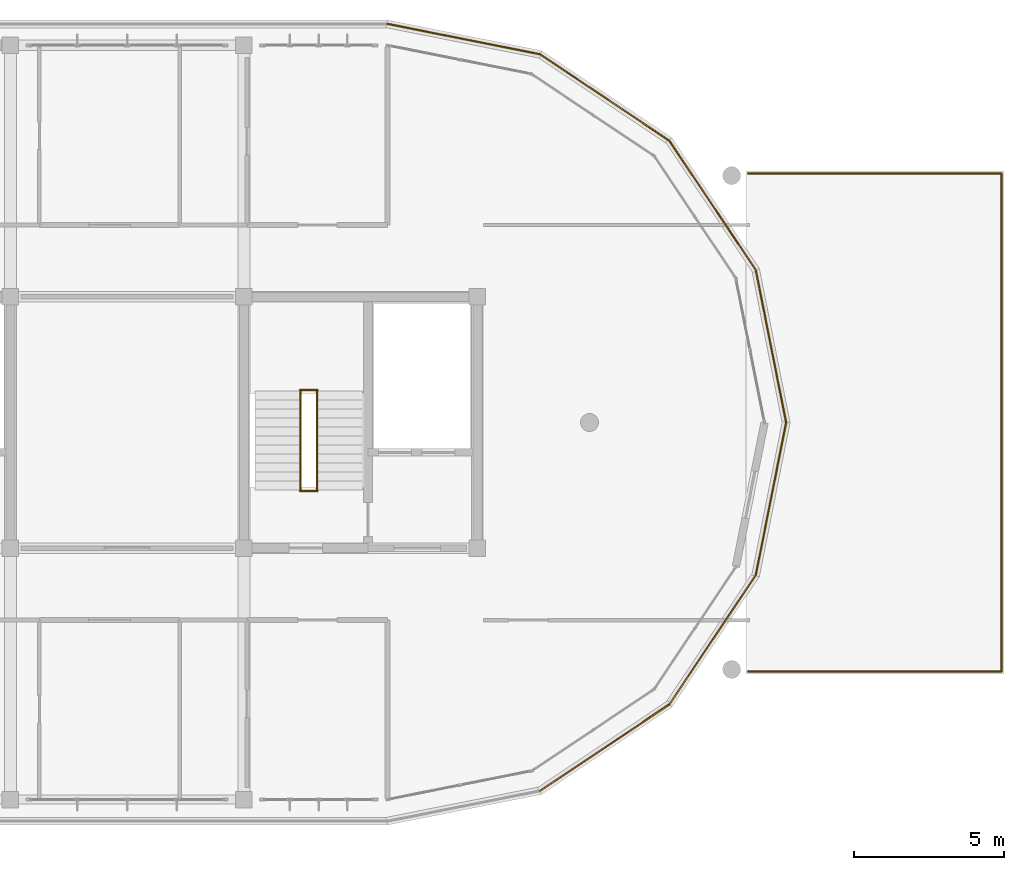
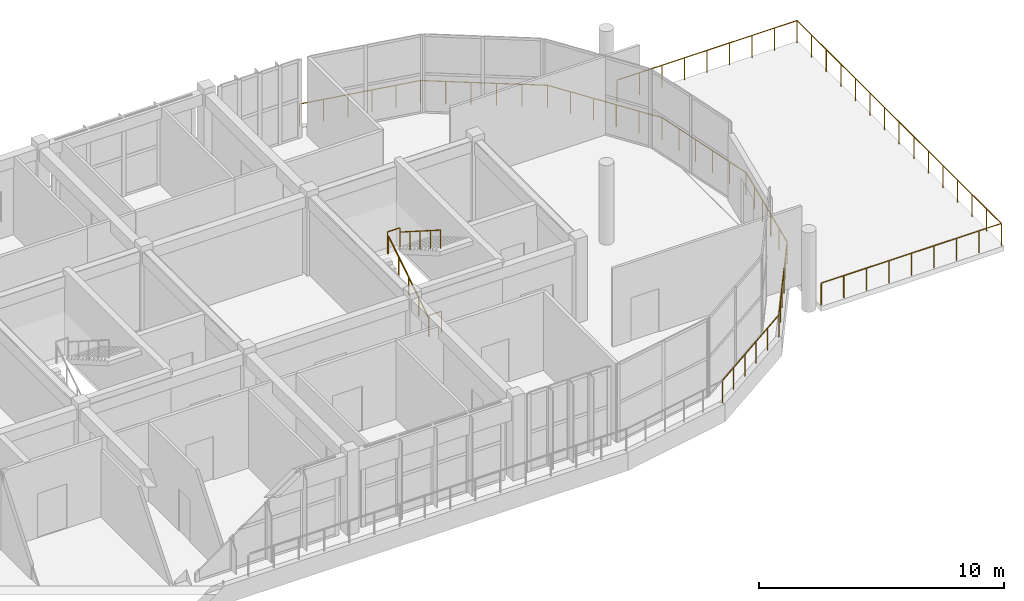
# One storey, part 44 of 44: 14 railings.
"""IFC4 building model written with IfcOpenShell, lengths in metres."""

from ifc_helpers import new_model, si_unit, direction, frame, origin, origin_2d, place, context, subcontext, project, spatial, circle, hollow_circle, extrude, material, material_profile, profile_set, type_object, element, save


model = new_model("IFC4")

# Units and contexts
model_context = context("Model", 3, precision=1e-05, world=origin(), true_north=direction((0.0, 1.0)))
body_context = subcontext(model_context, "Body", "Model", "MODEL_VIEW")
ifc_project = project(units=[si_unit("LENGTHUNIT", "METRE"), si_unit("AREAUNIT", "SQUARE_METRE"), si_unit("VOLUMEUNIT", "CUBIC_METRE"), si_unit("PLANEANGLEUNIT", "RADIAN"), si_unit("MASSUNIT", "GRAM", prefix="KILO")], contexts=[model_context])

# Site, building, storey
site_placement = place(None, origin())
site = spatial("IfcSite", under=ifc_project, at=site_placement, CompositionType="ELEMENT")
building_placement = place(site_placement, origin())
building = spatial("IfcBuilding", under=site, at=building_placement, Name="Zizhar Promenade General Hospital", CompositionType="ELEMENT")
storey_placement = place(building_placement, frame((0.0, 0.0, 34.800048828125)))
storey = spatial("IfcBuildingStorey", under=building, at=storey_placement, Name="L08", CompositionType="ELEMENT", Elevation=34.800048828125)

# Railings
ifc_material_1 = material(Name="Anodised aluminium 6063-T6", Category="aluminium")
ifc_material_profile_1 = material_profile(ifc_material_1, hollow_circle(Radius=0.06982421875, WallThickness=0.00634765625, at=origin_2d()))
ifc_profile_set_1 = profile_set([ifc_material_profile_1], Name="Anodised aluminium 6063-T6")
railing_type_1 = type_object("IfcRailingType", Name="RL-GUARD-TERR-1100", PredefinedType="GUARDRAIL", material=ifc_profile_set_1)
railing_1_placement = place(storey_placement, frame((103.497314453125, 0.2939453125, 0.0)))
element("IfcRailing", 1, at=railing_1_placement, inside=storey, type_object=railing_type_1, Name="Perimeter Safety Guardrail L08-02", PredefinedType="GUARDRAIL", context=body_context, shape_type="SweptSolid", body=[
    extrude(circle(Radius=0.02392578125, at=origin_2d()), frame((0.0, 0.0, 1.09619140625), z_axis=(0.831464445352, 0.555577965829, 0.0), x_axis=(-0.555577965829, 0.831464445352, 0.0)), (0.0, 0.0, 1.0), 5.197265625),
    extrude(circle(Radius=0.02099609375, at=origin_2d()), origin(), (0.0, 0.0, 1.0), 1.072021484375),
    extrude(circle(Radius=0.02099609375, at=origin_2d()), frame((0.8642578125, 0.577392578125, 0.0)), (0.0, 0.0, 1.0), 1.072021484375),
    extrude(circle(Radius=0.02099609375, at=origin_2d()), frame((1.728515625, 1.155029296875, 0.0)), (0.0, 0.0, 1.0), 1.072021484375),
    extrude(circle(Radius=0.02099609375, at=origin_2d()), frame((2.5927734375, 1.732421875, 0.0)), (0.0, 0.0, 1.0), 1.072021484375),
    extrude(circle(Radius=0.02099609375, at=origin_2d()), frame((3.45703125, 2.31005859375, 0.0)), (0.0, 0.0, 1.0), 1.072021484375),
    extrude(circle(Radius=0.02099609375, at=origin_2d()), frame((4.3212890625, 2.887451171875, 0.0)), (0.0, 0.0, 1.0), 1.072021484375),
])
railing_2_placement = place(storey_placement, frame((107.818603515625, 3.181396484375, 0.0)))
element("IfcRailing", 2, at=railing_2_placement, inside=storey, type_object=railing_type_1, Name="Perimeter Safety Guardrail L08-03", PredefinedType="GUARDRAIL", context=body_context, shape_type="SweptSolid", body=[
    extrude(circle(Radius=0.02392578125, at=origin_2d()), frame((0.0, 0.0, 1.09619140625), z_axis=(0.555577965829, 0.831464445352, 0.0), x_axis=(-0.831464445352, 0.555577965829, 0.0)), (0.0, 0.0, 1.0), 5.197265625),
    extrude(circle(Radius=0.02099609375, at=origin_2d()), origin(), (0.0, 0.0, 1.0), 1.072021484375),
    extrude(circle(Radius=0.02099609375, at=origin_2d()), frame((0.577392578125, 0.8642578125, 0.0)), (0.0, 0.0, 1.0), 1.072021484375),
    extrude(circle(Radius=0.02099609375, at=origin_2d()), frame((1.155029296875, 1.728515625, 0.0)), (0.0, 0.0, 1.0), 1.072021484375),
    extrude(circle(Radius=0.02099609375, at=origin_2d()), frame((1.732421875, 2.5927734375, 0.0)), (0.0, 0.0, 1.0), 1.072021484375),
    extrude(circle(Radius=0.02099609375, at=origin_2d()), frame((2.31005859375, 3.45703125, 0.0)), (0.0, 0.0, 1.0), 1.072021484375),
    extrude(circle(Radius=0.02099609375, at=origin_2d()), frame((2.887451171875, 4.3212890625, 0.0)), (0.0, 0.0, 1.0), 1.072021484375),
])
railing_3_placement = place(storey_placement, frame((110.7060546875, 7.502685546875, 0.0)))
element("IfcRailing", 3, at=railing_3_placement, inside=storey, type_object=railing_type_1, Name="Perimeter Safety Guardrail L08-04", PredefinedType="GUARDRAIL", context=body_context, shape_type="SweptSolid", body=[
    extrude(circle(Radius=0.02392578125, at=origin_2d()), frame((0.0, 0.0, 1.09619140625), z_axis=(0.195086195614, 0.980786101187, 0.0), x_axis=(-0.980786101187, 0.195086195614, 0.0)), (0.0, 0.0, 1.0), 5.197265625),
    extrude(circle(Radius=0.02099609375, at=origin_2d()), origin(), (0.0, 0.0, 1.0), 1.072021484375),
    extrude(circle(Radius=0.02099609375, at=origin_2d()), frame((0.202880859375, 1.01953125, 0.0)), (0.0, 0.0, 1.0), 1.072021484375),
    extrude(circle(Radius=0.02099609375, at=origin_2d()), frame((0.405517578125, 2.0390625, 0.0)), (0.0, 0.0, 1.0), 1.072021484375),
    extrude(circle(Radius=0.02099609375, at=origin_2d()), frame((0.6083984375, 3.058349609375, 0.0)), (0.0, 0.0, 1.0), 1.072021484375),
    extrude(circle(Radius=0.02099609375, at=origin_2d()), frame((0.81103515625, 4.077880859375, 0.0)), (0.0, 0.0, 1.0), 1.072021484375),
    extrude(circle(Radius=0.02099609375, at=origin_2d()), frame((1.013916015625, 5.097412109375, 0.0)), (0.0, 0.0, 1.0), 1.072021484375),
])
railing_4_placement = place(storey_placement, frame((111.719970703125, 12.60009765625, 0.0)))
element("IfcRailing", 4, at=railing_4_placement, inside=storey, type_object=railing_type_1, Name="Perimeter Safety Guardrail L08-05", PredefinedType="GUARDRAIL", context=body_context, shape_type="SweptSolid", body=[
    extrude(circle(Radius=0.02392578125, at=origin_2d()), frame((0.0, 0.0, 1.09619140625), z_axis=(-0.195095184069, 0.980784313268, 0.0), x_axis=(-0.980784313268, -0.195095184069, 0.0)), (0.0, 0.0, 1.0), 5.197021484375),
    extrude(circle(Radius=0.02099609375, at=origin_2d()), origin(), (0.0, 0.0, 1.0), 1.072021484375),
    extrude(circle(Radius=0.02099609375, at=origin_2d()), frame((-0.202880859375, 1.01953125, 0.0)), (0.0, 0.0, 1.0), 1.072021484375),
    extrude(circle(Radius=0.02099609375, at=origin_2d()), frame((-0.405517578125, 2.038818359375, 0.0)), (0.0, 0.0, 1.0), 1.072021484375),
    extrude(circle(Radius=0.02099609375, at=origin_2d()), frame((-0.6083984375, 3.058349609375, 0.0)), (0.0, 0.0, 1.0), 1.072021484375),
    extrude(circle(Radius=0.02099609375, at=origin_2d()), frame((-0.81103515625, 4.07763671875, 0.0)), (0.0, 0.0, 1.0), 1.072021484375),
    extrude(circle(Radius=0.02099609375, at=origin_2d()), frame((-1.013916015625, 5.09716796875, 0.0)), (0.0, 0.0, 1.0), 1.072021484375),
])
railing_5_placement = place(storey_placement, frame((110.7060546875, 17.697265625, 0.0)))
element("IfcRailing", 5, at=railing_5_placement, inside=storey, type_object=railing_type_1, Name="Perimeter Safety Guardrail L08-06", PredefinedType="GUARDRAIL", context=body_context, shape_type="SweptSolid", body=[
    extrude(circle(Radius=0.02392578125, at=origin_2d()), frame((0.0, 0.0, 1.09619140625), z_axis=(-0.555556266519, 0.83147894425, 0.0), x_axis=(-0.83147894425, -0.555556266519, 0.0)), (0.0, 0.0, 1.0), 5.197509765625),
    extrude(circle(Radius=0.02099609375, at=origin_2d()), origin(), (0.0, 0.0, 1.0), 1.072021484375),
    extrude(circle(Radius=0.02099609375, at=origin_2d()), frame((-0.577392578125, 0.8642578125, 0.0)), (0.0, 0.0, 1.0), 1.072021484375),
    extrude(circle(Radius=0.02099609375, at=origin_2d()), frame((-1.155029296875, 1.728515625, 0.0)), (0.0, 0.0, 1.0), 1.072021484375),
    extrude(circle(Radius=0.02099609375, at=origin_2d()), frame((-1.732421875, 2.593017578125, 0.0)), (0.0, 0.0, 1.0), 1.072021484375),
    extrude(circle(Radius=0.02099609375, at=origin_2d()), frame((-2.31005859375, 3.457275390625, 0.0)), (0.0, 0.0, 1.0), 1.072021484375),
    extrude(circle(Radius=0.02099609375, at=origin_2d()), frame((-2.887451171875, 4.321533203125, 0.0)), (0.0, 0.0, 1.0), 1.072021484375),
])
railing_6_placement = place(storey_placement, frame((107.818603515625, 22.018798828125, 0.0)))
element("IfcRailing", 6, at=railing_6_placement, inside=storey, type_object=railing_type_1, Name="Perimeter Safety Guardrail L08-07", PredefinedType="GUARDRAIL", context=body_context, shape_type="SweptSolid", body=[
    extrude(circle(Radius=0.02392578125, at=origin_2d()), frame((0.0, 0.0, 1.09619140625), z_axis=(-0.831486145253, 0.555545488913, 0.0), x_axis=(-0.555545488913, -0.831486145253, 0.0)), (0.0, 0.0, 1.0), 5.197021484375),
    extrude(circle(Radius=0.02099609375, at=origin_2d()), origin(), (0.0, 0.0, 1.0), 1.072021484375),
    extrude(circle(Radius=0.02099609375, at=origin_2d()), frame((-0.8642578125, 0.577392578125, 0.0)), (0.0, 0.0, 1.0), 1.072021484375),
    extrude(circle(Radius=0.02099609375, at=origin_2d()), frame((-1.728515625, 1.15478515625, 0.0)), (0.0, 0.0, 1.0), 1.072021484375),
    extrude(circle(Radius=0.02099609375, at=origin_2d()), frame((-2.5927734375, 1.732421875, 0.0)), (0.0, 0.0, 1.0), 1.072021484375),
    extrude(circle(Radius=0.02099609375, at=origin_2d()), frame((-3.45703125, 2.309814453125, 0.0)), (0.0, 0.0, 1.0), 1.072021484375),
    extrude(circle(Radius=0.02099609375, at=origin_2d()), frame((-4.3212890625, 2.88720703125, 0.0)), (0.0, 0.0, 1.0), 1.072021484375),
])
railing_7_placement = place(storey_placement, frame((103.497314453125, 24.906005859375, 0.0)))
element("IfcRailing", 7, at=railing_7_placement, inside=storey, type_object=railing_type_1, Name="Perimeter Safety Guardrail L08-08", PredefinedType="GUARDRAIL", context=body_context, shape_type="SweptSolid", body=[
    extrude(circle(Radius=0.02392578125, at=origin_2d()), frame((0.0, 0.0, 1.09619140625), z_axis=(-0.980786101187, 0.195086195614, 0.0), x_axis=(-0.195086195614, -0.980786101187, 0.0)), (0.0, 0.0, 1.0), 5.197265625),
    extrude(circle(Radius=0.02099609375, at=origin_2d()), origin(), (0.0, 0.0, 1.0), 1.072021484375),
    extrude(circle(Radius=0.02099609375, at=origin_2d()), frame((-1.01953125, 0.202880859375, 0.0)), (0.0, 0.0, 1.0), 1.072021484375),
    extrude(circle(Radius=0.02099609375, at=origin_2d()), frame((-2.0390625, 0.405517578125, 0.0)), (0.0, 0.0, 1.0), 1.072021484375),
    extrude(circle(Radius=0.02099609375, at=origin_2d()), frame((-3.058349609375, 0.6083984375, 0.0)), (0.0, 0.0, 1.0), 1.072021484375),
    extrude(circle(Radius=0.02099609375, at=origin_2d()), frame((-4.077880859375, 0.81103515625, 0.0)), (0.0, 0.0, 1.0), 1.072021484375),
    extrude(circle(Radius=0.02099609375, at=origin_2d()), frame((-5.097412109375, 1.013916015625, 0.0)), (0.0, 0.0, 1.0), 1.072021484375),
])
railing_8_placement = place(storey_placement, frame((110.449951171875, 4.280029296875, 0.0)))
element("IfcRailing", 8, at=railing_8_placement, inside=storey, type_object=railing_type_1, Name="Perimeter Safety Guardrail L08-01", PredefinedType="GUARDRAIL", context=body_context, shape_type="SweptSolid", body=[
    extrude(circle(Radius=0.02392578125, at=origin_2d()), frame((0.0, 0.0, 1.09619140625), z_axis=(1.0, 0.0, 0.0), x_axis=(0.0, 1.0, 0.0)), (0.0, 0.0, 1.0), 8.469970703125),
    extrude(circle(Radius=0.02099609375, at=origin_2d()), origin(), (0.0, 0.0, 1.0), 1.072021484375),
    extrude(circle(Radius=0.02099609375, at=origin_2d()), frame((1.058837890625, 0.0, 0.0)), (0.0, 0.0, 1.0), 1.072021484375),
    extrude(circle(Radius=0.02099609375, at=origin_2d()), frame((2.117431640625, 0.0, 0.0)), (0.0, 0.0, 1.0), 1.072021484375),
    extrude(circle(Radius=0.02099609375, at=origin_2d()), frame((3.17626953125, 0.0, 0.0)), (0.0, 0.0, 1.0), 1.072021484375),
    extrude(circle(Radius=0.02099609375, at=origin_2d()), frame((4.23486328125, 0.0, 0.0)), (0.0, 0.0, 1.0), 1.072021484375),
    extrude(circle(Radius=0.02099609375, at=origin_2d()), frame((5.293701171875, 0.0, 0.0)), (0.0, 0.0, 1.0), 1.072021484375),
    extrude(circle(Radius=0.02099609375, at=origin_2d()), frame((6.3525390625, 0.0, 0.0)), (0.0, 0.0, 1.0), 1.072021484375),
    extrude(circle(Radius=0.02099609375, at=origin_2d()), frame((7.4111328125, 0.0, 0.0)), (0.0, 0.0, 1.0), 1.072021484375),
    extrude(circle(Radius=0.02099609375, at=origin_2d()), frame((8.469970703125, 0.0, 0.0)), (0.0, 0.0, 1.0), 1.072021484375),
])
railing_9_placement = place(storey_placement, frame((118.919921875, 4.280029296875, 0.0)))
element("IfcRailing", 9, at=railing_9_placement, inside=storey, type_object=railing_type_1, Name="Perimeter Safety Guardrail L08-02", PredefinedType="GUARDRAIL", context=body_context, shape_type="SweptSolid", body=[
    extrude(circle(Radius=0.02392578125, at=origin_2d()), frame((0.0, 0.0, 1.09619140625), z_axis=(0.0, 1.0, 0.0), x_axis=(-1.0, 0.0, 0.0)), (0.0, 0.0, 1.0), 16.639892578125),
    extrude(circle(Radius=0.02099609375, at=origin_2d()), origin(), (0.0, 0.0, 1.0), 1.072021484375),
    extrude(circle(Radius=0.02099609375, at=origin_2d()), frame((0.0, 1.1884765625, 0.0)), (0.0, 0.0, 1.0), 1.072021484375),
    extrude(circle(Radius=0.02099609375, at=origin_2d()), frame((0.0, 2.377197265625, 0.0)), (0.0, 0.0, 1.0), 1.072021484375),
    extrude(circle(Radius=0.02099609375, at=origin_2d()), frame((0.0, 3.565673828125, 0.0)), (0.0, 0.0, 1.0), 1.072021484375),
    extrude(circle(Radius=0.02099609375, at=origin_2d()), frame((0.0, 4.754150390625, 0.0)), (0.0, 0.0, 1.0), 1.072021484375),
    extrude(circle(Radius=0.02099609375, at=origin_2d()), frame((0.0, 5.94287109375, 0.0)), (0.0, 0.0, 1.0), 1.072021484375),
    extrude(circle(Radius=0.02099609375, at=origin_2d()), frame((0.0, 7.13134765625, 0.0)), (0.0, 0.0, 1.0), 1.072021484375),
    extrude(circle(Radius=0.02099609375, at=origin_2d()), frame((0.0, 8.31982421875, 0.0)), (0.0, 0.0, 1.0), 1.072021484375),
    extrude(circle(Radius=0.02099609375, at=origin_2d()), frame((0.0, 9.508544921875, 0.0)), (0.0, 0.0, 1.0), 1.072021484375),
    extrude(circle(Radius=0.02099609375, at=origin_2d()), frame((0.0, 10.697021484375, 0.0)), (0.0, 0.0, 1.0), 1.072021484375),
    extrude(circle(Radius=0.02099609375, at=origin_2d()), frame((0.0, 11.8857421875, 0.0)), (0.0, 0.0, 1.0), 1.072021484375),
    extrude(circle(Radius=0.02099609375, at=origin_2d()), frame((0.0, 13.07421875, 0.0)), (0.0, 0.0, 1.0), 1.072021484375),
    extrude(circle(Radius=0.02099609375, at=origin_2d()), frame((0.0, 14.2626953125, 0.0)), (0.0, 0.0, 1.0), 1.072021484375),
    extrude(circle(Radius=0.02099609375, at=origin_2d()), frame((0.0, 15.451416015625, 0.0)), (0.0, 0.0, 1.0), 1.072021484375),
    extrude(circle(Radius=0.02099609375, at=origin_2d()), frame((0.0, 16.639892578125, 0.0)), (0.0, 0.0, 1.0), 1.072021484375),
])
railing_10_placement = place(storey_placement, frame((118.919921875, 20.919921875, 0.0)))
element("IfcRailing", 10, at=railing_10_placement, inside=storey, type_object=railing_type_1, Name="Perimeter Safety Guardrail L08-03", PredefinedType="GUARDRAIL", context=body_context, shape_type="SweptSolid", body=[
    extrude(circle(Radius=0.02392578125, at=origin_2d()), frame((0.0, 0.0, 1.09619140625), z_axis=(-1.0, 0.0, 0.0), x_axis=(0.0, -1.0, 0.0)), (0.0, 0.0, 1.0), 8.469970703125),
    extrude(circle(Radius=0.02099609375, at=origin_2d()), origin(), (0.0, 0.0, 1.0), 1.072021484375),
    extrude(circle(Radius=0.02099609375, at=origin_2d()), frame((-1.058837890625, 0.0, 0.0)), (0.0, 0.0, 1.0), 1.072021484375),
    extrude(circle(Radius=0.02099609375, at=origin_2d()), frame((-2.117431640625, 0.0, 0.0)), (0.0, 0.0, 1.0), 1.072021484375),
    extrude(circle(Radius=0.02099609375, at=origin_2d()), frame((-3.17626953125, 0.0, 0.0)), (0.0, 0.0, 1.0), 1.072021484375),
    extrude(circle(Radius=0.02099609375, at=origin_2d()), frame((-4.23486328125, 0.0, 0.0)), (0.0, 0.0, 1.0), 1.072021484375),
    extrude(circle(Radius=0.02099609375, at=origin_2d()), frame((-5.293701171875, 0.0, 0.0)), (0.0, 0.0, 1.0), 1.072021484375),
    extrude(circle(Radius=0.02099609375, at=origin_2d()), frame((-6.3525390625, 0.0, 0.0)), (0.0, 0.0, 1.0), 1.072021484375),
    extrude(circle(Radius=0.02099609375, at=origin_2d()), frame((-7.4111328125, 0.0, 0.0)), (0.0, 0.0, 1.0), 1.072021484375),
    extrude(circle(Radius=0.02099609375, at=origin_2d()), frame((-8.469970703125, 0.0, 0.0)), (0.0, 0.0, 1.0), 1.072021484375),
])
ifc_material_2 = material(Name="Anodised aluminium 6063-T6", Category="aluminium")
ifc_material_profile_2 = material_profile(ifc_material_2, hollow_circle(Radius=0.06982421875, WallThickness=0.00634765625, at=origin_2d()))
ifc_profile_set_2 = profile_set([ifc_material_profile_2], Name="Anodised aluminium 6063-T6")
railing_type_2 = type_object("IfcRailingType", Name="RL-HANDRAIL-920", PredefinedType="HANDRAIL", material=ifc_profile_set_2)
railing_11_placement = place(storey_placement, frame((95.5, 10.35009765625, 0.0)))
element("IfcRailing", 11, at=railing_11_placement, inside=storey, type_object=railing_type_2, Name="Stair ST-05 Flight 1 Handrail (L08)", PredefinedType="HANDRAIL", context=body_context, shape_type="SweptSolid", body=[
    extrude(circle(Radius=0.02392578125, at=origin_2d()), frame((0.0, 0.0, 0.89599609375), z_axis=(0.0, 0.843664057944, 0.536871453268), x_axis=(-1.0, 0.0, 0.0)), (0.0, 0.0, 1.0), 3.911376953125),
    extrude(circle(Radius=0.02099609375, at=origin_2d()), origin(), (0.0, 0.0, 1.0), 0.871826171875),
    extrude(circle(Radius=0.02099609375, at=origin_2d()), frame((0.0, 0.824951171875, 0.52490234375)), (0.0, 0.0, 1.0), 0.871826171875),
    extrude(circle(Radius=0.02099609375, at=origin_2d()), frame((0.0, 1.64990234375, 1.0498046875)), (0.0, 0.0, 1.0), 0.871826171875),
    extrude(circle(Radius=0.02099609375, at=origin_2d()), frame((0.0, 2.474853515625, 1.574951171875)), (0.0, 0.0, 1.0), 0.871826171875),
    extrude(circle(Radius=0.02099609375, at=origin_2d()), frame((0.0, 3.2998046875, 2.099853515625)), (0.0, 0.0, 1.0), 0.871826171875),
])
railing_12_placement = place(storey_placement, frame((96.0400390625, 13.64990234375, 2.099853515625)))
element("IfcRailing", 12, at=railing_12_placement, inside=storey, type_object=railing_type_2, Name="Stair ST-05 Flight 2 Handrail (L08)", PredefinedType="HANDRAIL", context=body_context, shape_type="SweptSolid", body=[
    extrude(circle(Radius=0.02392578125, at=origin_2d()), frame((0.0, 0.0, 0.89599609375), z_axis=(0.0, -0.843635785416, 0.536915879413), x_axis=(1.0, 0.0, 0.0)), (0.0, 0.0, 1.0), 3.911376953125),
    extrude(circle(Radius=0.02099609375, at=origin_2d()), origin(), (0.0, 0.0, 1.0), 0.871826171875),
    extrude(circle(Radius=0.02099609375, at=origin_2d()), frame((0.0, -0.824951171875, 0.52490234375)), (0.0, 0.0, 1.0), 0.871826171875),
    extrude(circle(Radius=0.02099609375, at=origin_2d()), frame((0.0, -1.64990234375, 1.050048828125)), (0.0, 0.0, 1.0), 0.871826171875),
    extrude(circle(Radius=0.02099609375, at=origin_2d()), frame((0.0, -2.474853515625, 1.5751953125)), (0.0, 0.0, 1.0), 0.871826171875),
    extrude(circle(Radius=0.02099609375, at=origin_2d()), frame((0.0, -3.2998046875, 2.10009765625)), (0.0, 0.0, 1.0), 0.871826171875),
])
ifc_material_3 = material(Name="Steel S355", Category="steel")
ifc_material_profile_3 = material_profile(ifc_material_3, hollow_circle(Radius=0.06982421875, WallThickness=0.00634765625, at=origin_2d()))
ifc_profile_set_3 = profile_set([ifc_material_profile_3], Name="Steel S355")
railing_type_3 = type_object("IfcRailingType", Name="RL-STAIR-GUARD-1100", PredefinedType="GUARDRAIL", material=ifc_profile_set_3)
for number, where, name in (
    (13, (95.47998046875, 13.68994140625, 2.099853515625), "Stair ST-05 Half-Landing Guard (L08)"),
    (14, (95.47998046875, 10.31005859375, 0.0), "Stair ST-05 Landing Well Guard (L08)"),
):
    element("IfcRailing", number, at=place(storey_placement, frame(where)), inside=storey, type_object=railing_type_3, Name=name, PredefinedType="GUARDRAIL", context=body_context, shape_type="SweptSolid", body=[
        extrude(circle(Radius=0.02392578125, at=origin_2d()), frame((0.0, 0.0, 1.076171875), z_axis=(1.0, 0.0, 0.0), x_axis=(0.0, 1.0, 0.0)), (0.0, 0.0, 1.0), 0.580078125),
        extrude(circle(Radius=0.02099609375, at=origin_2d()), origin(), (0.0, 0.0, 1.0), 1.052001953125),
        extrude(circle(Radius=0.02099609375, at=origin_2d()), frame((0.580078125, 0.0, 0.0)), (0.0, 0.0, 1.0), 1.052001953125),
    ])

save(model, "model.ifc")
